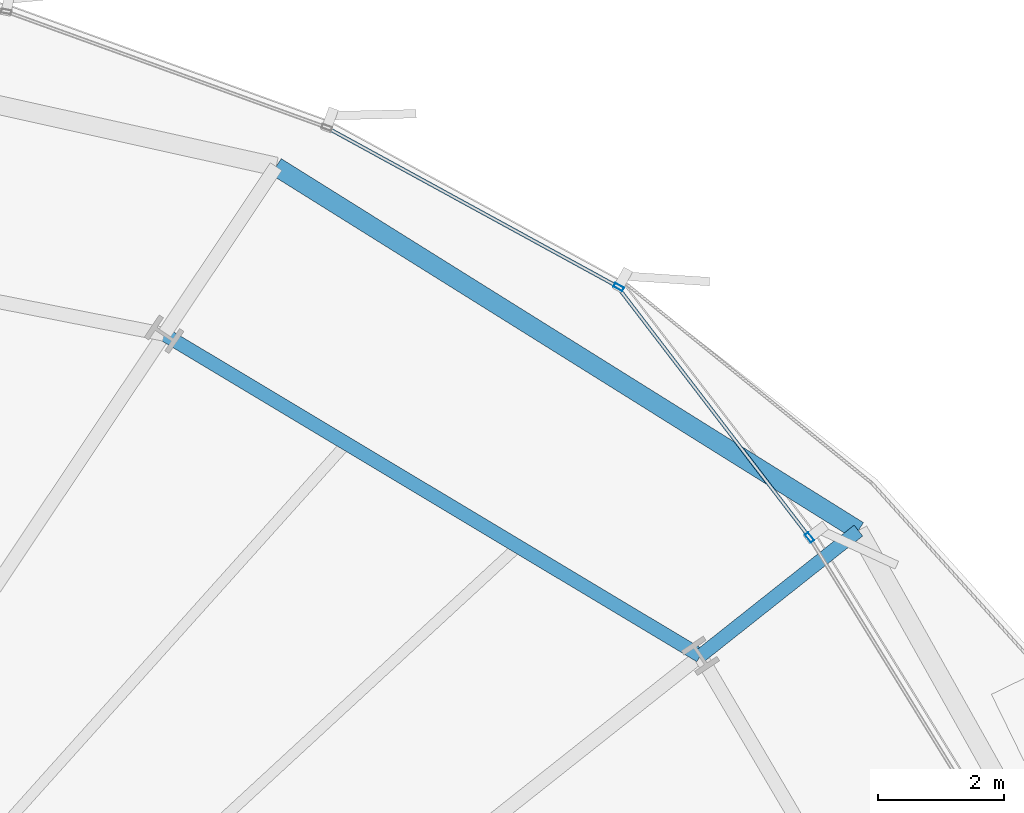
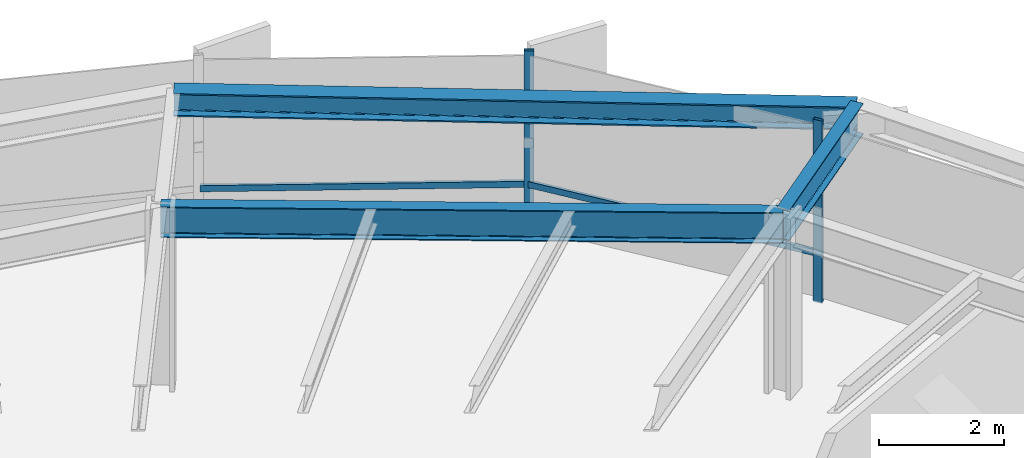
# One storey, part 27 of 39: 4 members, 3 beams, 1 element without a shape of its own.
"""IFC4 building model written with IfcOpenShell, lengths in metres."""

from ifc_helpers import new_model, si_unit, direction, frame, origin, origin_2d, place, context, subcontext, project, spatial, hollow_rectangle, i_section, extrude, source, transform, mapped, material, layer, layer_set, material_profile, profile_set, type_object, element, aggregate, save


model = new_model("IFC4")

# Units and contexts
model_context = context("Model", 3, precision=1e-05, world=origin(), true_north=direction((0.0, 1.0)))
body_context = subcontext(model_context, "Body", "Model", "MODEL_VIEW")
ifc_project = project(units=[si_unit("LENGTHUNIT", "METRE"), si_unit("AREAUNIT", "SQUARE_METRE"), si_unit("VOLUMEUNIT", "CUBIC_METRE"), si_unit("PLANEANGLEUNIT", "RADIAN"), si_unit("MASSUNIT", "GRAM", prefix="KILO"), si_unit("THERMODYNAMICTEMPERATUREUNIT", "KELVIN")], contexts=[model_context])

# Site, building, storey
site_placement = place(None, origin())
site = spatial("IfcSite", under=ifc_project, at=site_placement, CompositionType="ELEMENT")
building_placement = place(site_placement, origin())
building = spatial("IfcBuilding", under=site, at=building_placement, Name="Kethvar Cultural Tower", CompositionType="ELEMENT")
storey_placement = place(building_placement, frame((0.0, 0.0, 33.39990234375)))
storey = spatial("IfcBuildingStorey", under=building, at=storey_placement, Name="L07", CompositionType="ELEMENT", Elevation=33.39990234375)

# Beams
ifc_material_1 = material(Name="Steel S355J2", Category="steel")
ifc_material_profile_1 = material_profile(ifc_material_1, i_section(OverallWidth=0.219970703125, OverallDepth=0.60009765625, WebThickness=0.011962890625, FlangeThickness=0.01904296875, FilletRadius=0.02392578125, at=origin_2d()), Name="Steel S355J2 — IPE600")
ifc_profile_set_1 = profile_set([ifc_material_profile_1], Name="Steel S355J2 — IPE600")
beam_type_1 = type_object("IfcBeamType", Name="BM-IPE600", PredefinedType="BEAM", material=ifc_profile_set_1)
shared_shape_1 = source(origin(), body_context, "Body", "SweptSolid", [
    extrude(i_section(OverallWidth=0.219970703125, OverallDepth=0.60009765625, WebThickness=0.011962890625, FlangeThickness=0.01904296875, FilletRadius=0.02392578125, at=origin_2d()), origin(), (0.0, 0.0, 1.0), 3.199951171875),
])
beam_1_placement = place(storey_placement, frame((68.33642578125, 42.190185546875, 3.248046875), z_axis=(0.783844666756, 0.62095695374, 0.0), x_axis=(-0.62095695374, 0.783844666756, 0.0)))
element("IfcBeam", 1, at=beam_1_placement, inside=storey, type_object=beam_type_1, Name="L07 Perimeter Cantilever Beam RC-02", PredefinedType="BEAM", context=body_context, shape_type="MappedRepresentation", body=[
    mapped(shared_shape_1, transform((0.0, 0.0, 0.0), scale=1.0)),
])
shared_shape_2 = source(origin(), body_context, "Body", "SweptSolid", [
    extrude(i_section(OverallWidth=0.219970703125, OverallDepth=0.60009765625, WebThickness=0.011962890625, FlangeThickness=0.01904296875, FilletRadius=0.02392578125, at=origin_2d()), origin(), (0.0, 0.0, 1.0), 9.924072265625),
])
beam_2_placement = place(storey_placement, frame((68.33642578125, 42.190185546875, 3.248046875), z_axis=(-0.857664361463, 0.514209921215, 0.0), x_axis=(-0.514209921215, -0.857664361463, 0.0)))
element("IfcBeam", 2, at=beam_2_placement, inside=storey, type_object=beam_type_1, Name="L07 Column Ring Tie Beam CR-02", PredefinedType="BEAM", context=body_context, shape_type="MappedRepresentation", body=[
    mapped(shared_shape_2, transform((0.0, 0.0, 0.0), scale=1.0)),
])
ifc_material_profile_2 = material_profile(ifc_material_1, i_section(OverallWidth=0.300048828125, OverallDepth=0.449951171875, WebThickness=0.013916015625, FlangeThickness=0.02587890625, FilletRadius=0.027099609375, at=origin_2d()), Name="Steel S355J2 — HEB450")
ifc_profile_set_2 = profile_set([ifc_material_profile_2], Name="Steel S355J2 — HEB450")
beam_type_2 = type_object("IfcBeamType", Name="BM-SP450", PredefinedType="SPANDREL", material=ifc_profile_set_2)
shared_shape_3 = source(origin(), body_context, "Body", "SweptSolid", [
    extrude(i_section(OverallWidth=0.300048828125, OverallDepth=0.449951171875, WebThickness=0.013916015625, FlangeThickness=0.02587890625, FilletRadius=0.027099609375, at=origin_2d()), origin(), (0.0, 0.0, 1.0), 10.89892578125),
])
beam_3_placement = place(storey_placement, frame((70.8447265625, 44.17724609375, 3.322998046875), z_axis=(-0.847971875365, 0.530041223481, 0.0), x_axis=(-0.530041223481, -0.847971875365, 0.0)))
element("IfcBeam", 3, at=beam_3_placement, inside=storey, type_object=beam_type_2, Name="L07 Perimeter Spandrel Beam SP-02", PredefinedType="SPANDREL", context=body_context, shape_type="MappedRepresentation", body=[
    mapped(shared_shape_3, transform((0.0, 0.0, 0.0), scale=1.0)),
])

# Curtain wall, members
ifc_material_2 = material(Name="Aluminium 6063-T6", Category="aluminium")
ifc_layer = layer(ifc_material_2, 0.179931640625, Name="Aluminium 6063-T6", Category="aluminium")
ifc_layer_set = layer_set([ifc_layer], Name="Aluminium 6063-T6 (180 mm)")
curtain_wall_type = type_object("IfcCurtainWallType", Name="CW-SYS-02-Z1", PredefinedType="NOTDEFINED", material=ifc_layer_set)
curtain_wall_placement = place(storey_placement, origin())
curtain_wall = element("IfcCurtainWall", 4, at=curtain_wall_placement, inside=storey, type_object=curtain_wall_type, Name="L07 Curtain Wall Run 02", PredefinedType="NOTDEFINED")
ifc_material_profile_3 = material_profile(ifc_material_2, hollow_rectangle(XDim=0.06494140625, YDim=0.159912109375, WallThickness=0.0048828125, at=origin_2d()), Name="Aluminium 6063-T6 — RHS160x65x5")
ifc_profile_set_3 = profile_set([ifc_material_profile_3], Name="Aluminium 6063-T6 — RHS160x65x5")
member_type_1 = type_object("IfcMemberType", Name="CW-SYS-02-Z1-MUL", PredefinedType="MULLION", material=ifc_profile_set_3)
shared_shape_4 = source(origin(), body_context, "Body", "SweptSolid", [
    extrude(hollow_rectangle(XDim=0.06494140625, YDim=0.159912109375, WallThickness=0.0048828125, at=origin_2d()), origin(), (0.0, 0.0, 1.0), 3.550048828125),
])
member_1_placement = place(storey_placement, frame((70.068359375, 44.068603515625, 0.0), z_axis=(0.0, 0.0, 1.0), x_axis=(-0.793916120025, -0.608027297384, 0.0)))
member_1 = element("IfcMember", 5, at=member_1_placement, type_object=member_type_1, Name="CW-L07-R02 Mullion 3", PredefinedType="MULLION", context=body_context, shape_type="MappedRepresentation", body=[
    mapped(shared_shape_4, transform((0.0, 0.0, 0.0), scale=1.0)),
])
member_2_placement = place(storey_placement, frame((67.038818359375, 48.04150390625, 0.0), z_axis=(0.0, 0.0, 1.0), x_axis=(-0.479687589777, -0.877439351872, 0.0)))
member_2 = element("IfcMember", 6, at=member_2_placement, type_object=member_type_1, Name="CW-L07-R02 Mullion 4", PredefinedType="MULLION", context=body_context, shape_type="MappedRepresentation", body=[
    mapped(shared_shape_4, transform((0.0, 0.0, 0.0), scale=1.0)),
])
ifc_material_profile_4 = material_profile(ifc_material_2, hollow_rectangle(XDim=0.054931640625, YDim=0.1201171875, WallThickness=0.00390625, at=origin_2d()), Name="Aluminium 6063-T6 — RHS120x55x4")
ifc_profile_set_4 = profile_set([ifc_material_profile_4], Name="Aluminium 6063-T6 — RHS120x55x4")
member_type_2 = type_object("IfcMemberType", Name="CW-SYS-02-Z1-TRN", PredefinedType="USERDEFINED", material=ifc_profile_set_4)
shared_shape_5 = source(origin(), body_context, "Body", "SweptSolid", [
    extrude(hollow_rectangle(XDim=0.054931640625, YDim=0.1201171875, WallThickness=0.00390625, at=origin_2d()), origin(), (0.0, 0.0, 1.0), 4.951171875),
])
member_3_placement = place(storey_placement, frame((70.0400390625, 44.105712890625, 0.9501953125), z_axis=(-0.608024641687, 0.793918153906, 0.0), x_axis=(-0.793918153906, -0.608024641687, 0.0)))
member_3 = element("IfcMember", 7, at=member_3_placement, type_object=member_type_2, Name="CW-L07-R02 Transom 3", ObjectType="TRANSOM", PredefinedType="USERDEFINED", context=body_context, shape_type="MappedRepresentation", body=[
    mapped(shared_shape_5, transform((0.0, 0.0, 0.0), scale=1.0)),
])
shared_shape_6 = source(origin(), body_context, "Body", "SweptSolid", [
    extrude(hollow_rectangle(XDim=0.054931640625, YDim=0.1201171875, WallThickness=0.00390625, at=origin_2d()), origin(), (0.0, 0.0, 1.0), 5.20361328125),
])
member_4_placement = place(storey_placement, frame((66.997802734375, 48.06396484375, 0.9501953125), z_axis=(-0.877463090401, 0.479644164965, 0.0), x_axis=(-0.479644164965, -0.877463090401, 0.0)))
member_4 = element("IfcMember", 8, at=member_4_placement, type_object=member_type_2, Name="CW-L07-R02 Transom 4", ObjectType="TRANSOM", PredefinedType="USERDEFINED", context=body_context, shape_type="MappedRepresentation", body=[
    mapped(shared_shape_6, transform((0.0, 0.0, 0.0), scale=1.0)),
])
aggregate(curtain_wall, [member_1, member_2, member_3, member_4])

save(model, "model.ifc")
